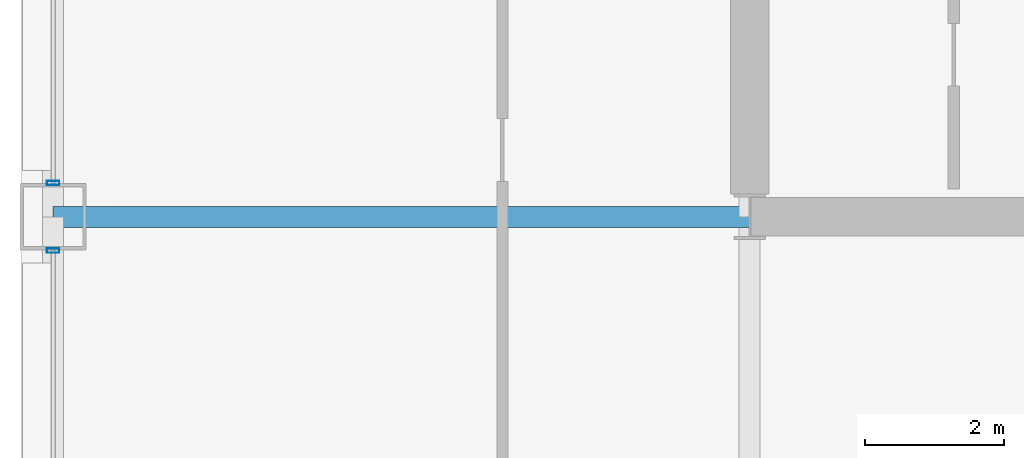
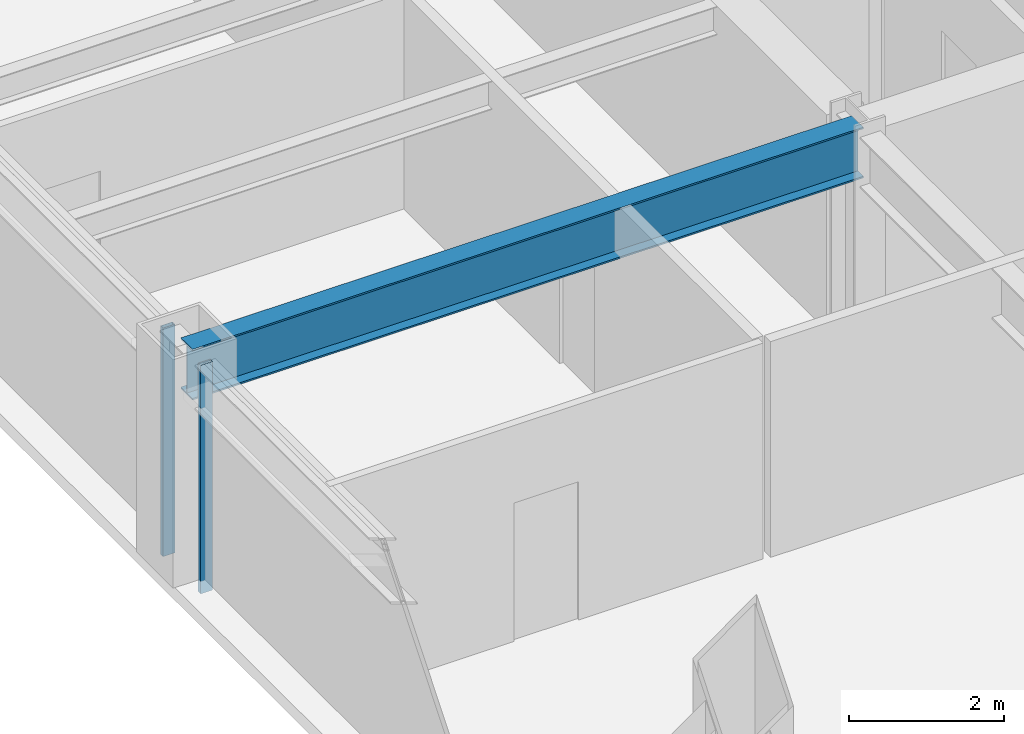
# One storey, part 4 of 31: 2 members, 1 beam, 2 elements without a shape of their own.
"""IFC4 building model written with IfcOpenShell, lengths in metres."""

from ifc_helpers import new_model, si_unit, direction, frame, origin, origin_2d, place, context, subcontext, project, spatial, hollow_rectangle, i_section, extrude, material, layer, layer_set, material_profile, profile_set, type_object, element, aggregate, save


model = new_model("IFC4")

# Units and contexts
model_context = context("Model", 3, precision=1e-05, world=origin(), true_north=direction((0.0, 1.0)))
body_context = subcontext(model_context, "Body", "Model", "MODEL_VIEW")
ifc_project = project(units=[si_unit("LENGTHUNIT", "METRE"), si_unit("AREAUNIT", "SQUARE_METRE"), si_unit("VOLUMEUNIT", "CUBIC_METRE"), si_unit("PLANEANGLEUNIT", "RADIAN"), si_unit("MASSUNIT", "GRAM", prefix="KILO")], contexts=[model_context])

# Site, building, storey
site_placement = place(None, origin())
site = spatial("IfcSite", under=ifc_project, at=site_placement, CompositionType="ELEMENT")
building_placement = place(site_placement, origin())
building = spatial("IfcBuilding", under=site, at=building_placement, Name="Brelmoor Portico Tower", CompositionType="ELEMENT")
storey_placement = place(building_placement, frame((0.0, 0.0, 38.39990234375)))
storey = spatial("IfcBuildingStorey", under=building, at=storey_placement, Name="L09", CompositionType="ELEMENT", Elevation=38.39990234375)

# Beam
ifc_material_1 = material(Name="Steel Q355B", Category="steel")
ifc_material_profile_1 = material_profile(ifc_material_1, i_section(OverallWidth=0.300048828125, OverallDepth=0.800048828125, WebThickness=0.013916015625, FlangeThickness=0.02587890625, at=origin_2d()), Name="HN 800x300x14x26")
ifc_profile_set_1 = profile_set([ifc_material_profile_1], Name="Steel Q355B")
beam_type = type_object("IfcBeamType", Name="BM-PG-800", PredefinedType="BEAM", material=ifc_profile_set_1)
beam_placement = place(storey_placement, frame((-24.550048828125, -9.75, 3.0), z_axis=(1.0, 0.0, 0.0), x_axis=(0.0, 1.0, 0.0)))
element("IfcBeam", 1, at=beam_placement, inside=storey, type_object=beam_type, Name="L09 Primary Floor Girder PG-19", PredefinedType="BEAM", context=body_context, shape_type="SweptSolid", body=[
    extrude(i_section(OverallWidth=0.300048828125, OverallDepth=0.800048828125, WebThickness=0.013916015625, FlangeThickness=0.02587890625, at=origin_2d()), origin(), (0.0, 0.0, 1.0), 10.0),
])

# Curtain wall, member
ifc_material_2 = material(Name="Anodised Aluminium Alloy 6063-T6", Category="aluminium")
ifc_layer = layer(ifc_material_2, 0.179931640625)
ifc_layer_set = layer_set([ifc_layer], Name="Anodised Aluminium Alloy 6063-T6")
curtain_wall_type = type_object("IfcCurtainWallType", Name="CW-TOWER-Z1-XB", PredefinedType="NOTDEFINED", material=ifc_layer_set)
curtain_wall_1_placement = place(storey_placement, origin())
curtain_wall_1 = element("IfcCurtainWall", 2, at=curtain_wall_1_placement, inside=storey, type_object=curtain_wall_type, Name="L09 Curtain Wall CW-L09-03-1", PredefinedType="NOTDEFINED")
ifc_material_profile_2 = material_profile(ifc_material_2, hollow_rectangle(XDim=0.06494140625, YDim=0.179931640625, WallThickness=0.00390625, at=origin_2d()), Name="ALU MULLION 65x180")
ifc_profile_set_2 = profile_set([ifc_material_profile_2], Name="Anodised Aluminium Alloy 6063-T6")
member_type = type_object("IfcMemberType", Name="MB-CW-MULL-180", PredefinedType="MULLION", material=ifc_profile_set_2)
member_1_placement = place(storey_placement, frame((-24.550048828125, -10.235107421875, -0.199951171875), z_axis=(0.0, 0.0, 1.0), x_axis=(0.0, 1.0, 0.0)))
member_1 = element("IfcMember", 3, at=member_1_placement, type_object=member_type, Name="CW-L09-03-1 Mullion 01", PredefinedType="MULLION", context=body_context, shape_type="SweptSolid", body=[
    extrude(hollow_rectangle(XDim=0.06494140625, YDim=0.179931640625, WallThickness=0.00390625, at=origin_2d()), origin(), (0.0, 0.0, 1.0), 3.60009765625),
])
aggregate(curtain_wall_1, [member_1])

curtain_wall_2_placement = place(storey_placement, origin())
curtain_wall_2 = element("IfcCurtainWall", 4, at=curtain_wall_2_placement, inside=storey, type_object=curtain_wall_type, Name="L09 Curtain Wall CW-L09-03-2", PredefinedType="NOTDEFINED")
member_2_placement = place(storey_placement, frame((-24.550048828125, -9.264892578125, -0.199951171875), z_axis=(0.0, 0.0, 1.0), x_axis=(0.0, 1.0, 0.0)))
member_2 = element("IfcMember", 5, at=member_2_placement, type_object=member_type, Name="CW-L09-03-2 Mullion 00", PredefinedType="MULLION", context=body_context, shape_type="SweptSolid", body=[
    extrude(hollow_rectangle(XDim=0.06494140625, YDim=0.179931640625, WallThickness=0.00390625, at=origin_2d()), origin(), (0.0, 0.0, 1.0), 3.60009765625),
])
aggregate(curtain_wall_2, [member_2])

save(model, "model.ifc")
